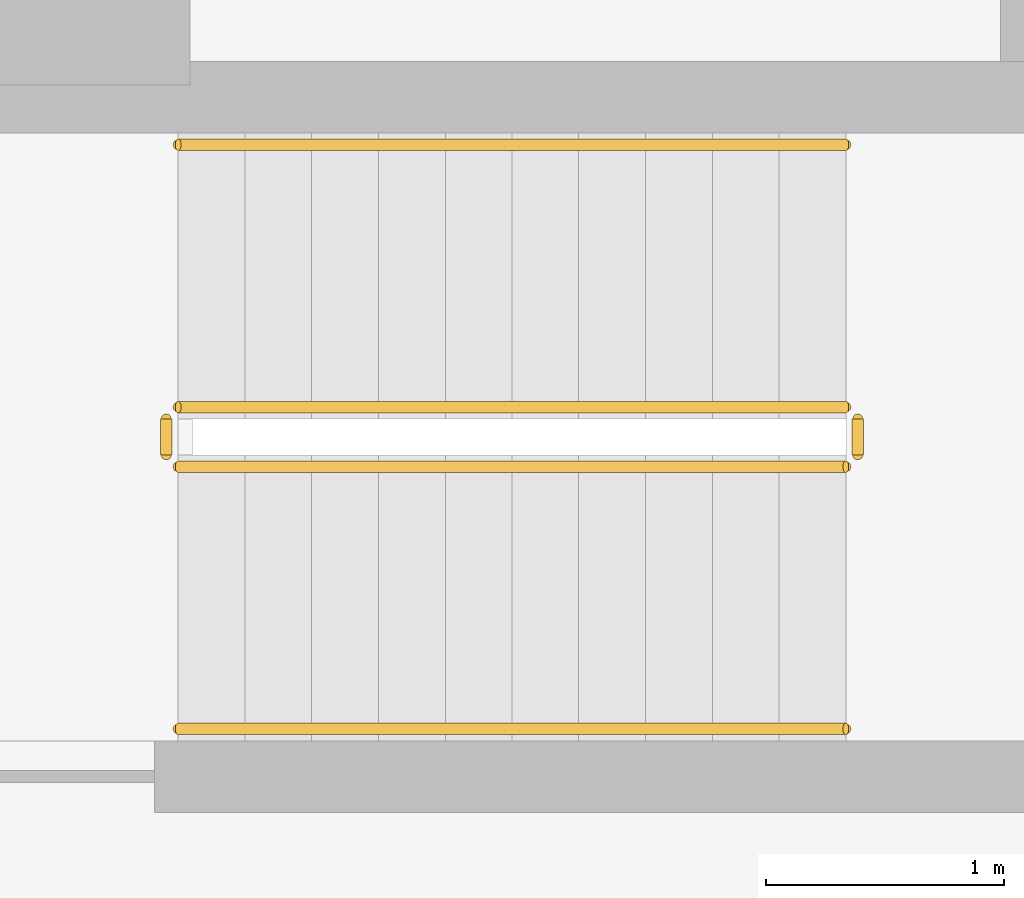
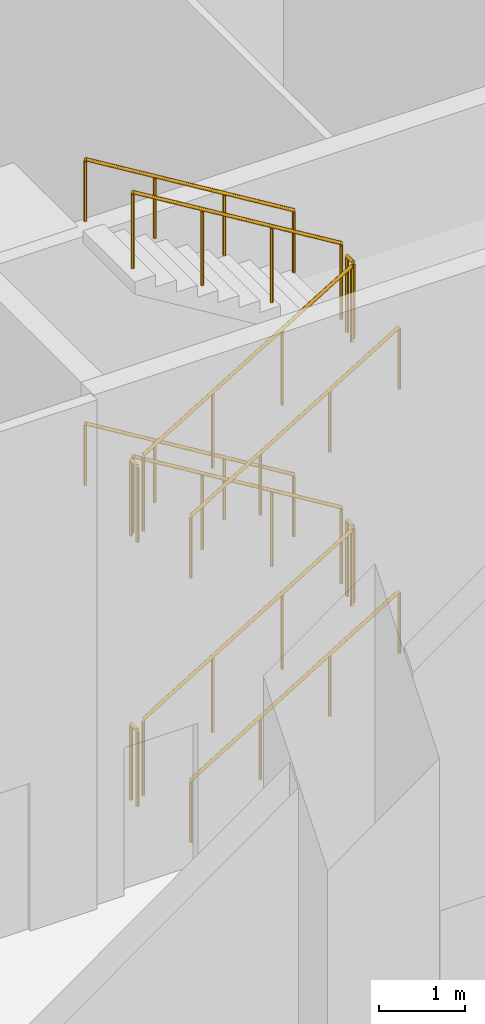
# One storey, part 15 of 16: 12 railings.
"""IFC4 building model written with IfcOpenShell, lengths in metres."""

from ifc_helpers import new_model, si_unit, direction, frame, origin, origin_2d, place, context, subcontext, project, spatial, circle, extrude, material, type_object, element, save


model = new_model("IFC4")

# Units and contexts
model_context = context("Model", 3, precision=1e-05, world=origin(), true_north=direction((0.0, 1.0)))
body_context = subcontext(model_context, "Body", "Model", "MODEL_VIEW")
ifc_project = project(units=[si_unit("LENGTHUNIT", "METRE"), si_unit("AREAUNIT", "SQUARE_METRE"), si_unit("VOLUMEUNIT", "CUBIC_METRE"), si_unit("PLANEANGLEUNIT", "RADIAN"), si_unit("MASSUNIT", "GRAM", prefix="KILO")], contexts=[model_context])

# Site, building, storey
site_placement = place(None, origin())
site = spatial("IfcSite", under=ifc_project, at=site_placement, CompositionType="ELEMENT")
building_placement = place(site_placement, origin())
building = spatial("IfcBuilding", under=site, at=building_placement, Name="Brevane Broadcast Tower", CompositionType="ELEMENT")
storey_placement = place(building_placement, frame((0.0, 0.0, 12.5)))
storey = spatial("IfcBuildingStorey", under=building, at=storey_placement, Name="L02", CompositionType="ELEMENT", Elevation=12.5)

# Railings
ifc_material = material(Name="Steel S355", Category="steel")
railing_type_1 = type_object("IfcRailingType", Name="Exit stair guard", PredefinedType="GUARDRAIL", material=ifc_material)
railing_1_placement = place(storey_placement, frame((42.699951171875, 14.449951171875, 0.17041015625)))
element("IfcRailing", 1, at=railing_1_placement, inside=storey, type_object=railing_type_1, Name="L02 ST-4 stair guard 1", PredefinedType="GUARDRAIL", context=body_context, shape_type="SweptSolid", body=[
    extrude(circle(Radius=0.02392578125, at=origin_2d()), frame((0.0, 0.0, 1.076171875), z_axis=(0.854169791009, 0.0, 0.51999420009), x_axis=(0.0, 1.0, 0.0)), (0.0, 0.0, 1.0), 3.278076171875),
    extrude(circle(Radius=0.02099609375, at=origin_2d()), origin(), (0.0, 0.0, 1.0), 1.052001953125),
    extrude(circle(Radius=0.02099609375, at=origin_2d()), frame((0.933349609375, 0.0, 0.568115234375)), (0.0, 0.0, 1.0), 1.052001953125),
    extrude(circle(Radius=0.02099609375, at=origin_2d()), frame((1.86669921875, 0.0, 1.136474609375)), (0.0, 0.0, 1.0), 1.052001953125),
    extrude(circle(Radius=0.02099609375, at=origin_2d()), frame((2.800048828125, 0.0, 1.70458984375)), (0.0, 0.0, 1.0), 1.052001953125),
])
railing_2_placement = place(storey_placement, frame((45.550048828125, 14.5, 1.875)))
element("IfcRailing", 2, at=railing_2_placement, inside=storey, type_object=railing_type_1, Name="L02 ST-4 stair guard 2", PredefinedType="GUARDRAIL", context=body_context, shape_type="SweptSolid", body=[
    extrude(circle(Radius=0.02392578125, at=origin_2d()), frame((0.0, 0.0, 1.076171875), z_axis=(0.0, 1.0, 0.0), x_axis=(-1.0, 0.0, 0.0)), (0.0, 0.0, 1.0), 0.14990234375),
    extrude(circle(Radius=0.02099609375, at=origin_2d()), origin(), (0.0, 0.0, 1.0), 1.052001953125),
    extrude(circle(Radius=0.02099609375, at=origin_2d()), frame((0.0, 0.14990234375, 0.0)), (0.0, 0.0, 1.0), 1.052001953125),
])
railing_3_placement = place(storey_placement, frame((45.5, 14.699951171875, 2.04541015625)))
element("IfcRailing", 3, at=railing_3_placement, inside=storey, type_object=railing_type_1, Name="L02 ST-4 stair guard 3", PredefinedType="GUARDRAIL", context=body_context, shape_type="SweptSolid", body=[
    extrude(circle(Radius=0.02392578125, at=origin_2d()), frame((0.0, 0.0, 1.076171875), z_axis=(-0.854169791009, 0.0, 0.51999420009), x_axis=(0.0, -1.0, 0.0)), (0.0, 0.0, 1.0), 3.278076171875),
    extrude(circle(Radius=0.02099609375, at=origin_2d()), origin(), (0.0, 0.0, 1.0), 1.052001953125),
    extrude(circle(Radius=0.02099609375, at=origin_2d()), frame((-0.933349609375, 0.0, 0.568115234375)), (0.0, 0.0, 1.0), 1.052001953125),
    extrude(circle(Radius=0.02099609375, at=origin_2d()), frame((-1.86669921875, 0.0, 1.136474609375)), (0.0, 0.0, 1.0), 1.052001953125),
    extrude(circle(Radius=0.02099609375, at=origin_2d()), frame((-2.800048828125, 0.0, 1.70458984375)), (0.0, 0.0, 1.0), 1.052001953125),
])
railing_4_placement = place(storey_placement, frame((42.64990234375, 14.5, 3.75)))
element("IfcRailing", 4, at=railing_4_placement, inside=storey, type_object=railing_type_1, Name="L02 ST-4 stair guard 4", PredefinedType="GUARDRAIL", context=body_context, shape_type="SweptSolid", body=[
    extrude(circle(Radius=0.02392578125, at=origin_2d()), frame((0.0, 0.0, 1.076171875), z_axis=(0.0, 1.0, 0.0), x_axis=(-1.0, 0.0, 0.0)), (0.0, 0.0, 1.0), 0.14990234375),
    extrude(circle(Radius=0.02099609375, at=origin_2d()), origin(), (0.0, 0.0, 1.0), 1.052001953125),
    extrude(circle(Radius=0.02099609375, at=origin_2d()), frame((0.0, 0.14990234375, 0.0)), (0.0, 0.0, 1.0), 1.052001953125),
])
railing_5_placement = place(storey_placement, frame((42.699951171875, 14.449951171875, 3.92041015625)))
element("IfcRailing", 5, at=railing_5_placement, inside=storey, type_object=railing_type_1, Name="L02 ST-4 stair guard 5", PredefinedType="GUARDRAIL", context=body_context, shape_type="SweptSolid", body=[
    extrude(circle(Radius=0.02392578125, at=origin_2d()), frame((0.0, 0.0, 1.076171875), z_axis=(0.854169791009, 0.0, 0.51999420009), x_axis=(0.0, 1.0, 0.0)), (0.0, 0.0, 1.0), 3.278076171875),
    extrude(circle(Radius=0.02099609375, at=origin_2d()), origin(), (0.0, 0.0, 1.0), 1.052001953125),
    extrude(circle(Radius=0.02099609375, at=origin_2d()), frame((0.933349609375, 0.0, 0.568115234375)), (0.0, 0.0, 1.0), 1.052001953125),
    extrude(circle(Radius=0.02099609375, at=origin_2d()), frame((1.86669921875, 0.0, 1.136474609375)), (0.0, 0.0, 1.0), 1.052001953125),
    extrude(circle(Radius=0.02099609375, at=origin_2d()), frame((2.800048828125, 0.0, 1.70458984375)), (0.0, 0.0, 1.0), 1.052001953125),
])
railing_6_placement = place(storey_placement, frame((45.550048828125, 14.5, 5.625)))
element("IfcRailing", 6, at=railing_6_placement, inside=storey, type_object=railing_type_1, Name="L02 ST-4 stair guard 6", PredefinedType="GUARDRAIL", context=body_context, shape_type="SweptSolid", body=[
    extrude(circle(Radius=0.02392578125, at=origin_2d()), frame((0.0, 0.0, 1.076171875), z_axis=(0.0, 1.0, 0.0), x_axis=(-1.0, 0.0, 0.0)), (0.0, 0.0, 1.0), 0.14990234375),
    extrude(circle(Radius=0.02099609375, at=origin_2d()), origin(), (0.0, 0.0, 1.0), 1.052001953125),
    extrude(circle(Radius=0.02099609375, at=origin_2d()), frame((0.0, 0.14990234375, 0.0)), (0.0, 0.0, 1.0), 1.052001953125),
])
railing_7_placement = place(storey_placement, frame((45.5, 14.699951171875, 5.79541015625)))
element("IfcRailing", 7, at=railing_7_placement, inside=storey, type_object=railing_type_1, Name="L02 ST-4 stair guard 7", PredefinedType="GUARDRAIL", context=body_context, shape_type="SweptSolid", body=[
    extrude(circle(Radius=0.02392578125, at=origin_2d()), frame((0.0, 0.0, 1.076171875), z_axis=(-0.854169791009, 0.0, 0.51999420009), x_axis=(0.0, -1.0, 0.0)), (0.0, 0.0, 1.0), 3.278076171875),
    extrude(circle(Radius=0.02099609375, at=origin_2d()), origin(), (0.0, 0.0, 1.0), 1.052001953125),
    extrude(circle(Radius=0.02099609375, at=origin_2d()), frame((-0.933349609375, 0.0, 0.568115234375)), (0.0, 0.0, 1.0), 1.052001953125),
    extrude(circle(Radius=0.02099609375, at=origin_2d()), frame((-1.86669921875, 0.0, 1.136474609375)), (0.0, 0.0, 1.0), 1.052001953125),
    extrude(circle(Radius=0.02099609375, at=origin_2d()), frame((-2.800048828125, 0.0, 1.70458984375)), (0.0, 0.0, 1.0), 1.052001953125),
])
railing_8_placement = place(storey_placement, frame((42.64990234375, 14.5, 0.0)))
element("IfcRailing", 8, at=railing_8_placement, inside=storey, type_object=railing_type_1, Name="L02 ST-4 stair guard 8", PredefinedType="GUARDRAIL", context=body_context, shape_type="SweptSolid", body=[
    extrude(circle(Radius=0.02392578125, at=origin_2d()), frame((0.0, 0.0, 1.076171875), z_axis=(0.0, 1.0, 0.0), x_axis=(-1.0, 0.0, 0.0)), (0.0, 0.0, 1.0), 0.14990234375),
    extrude(circle(Radius=0.02099609375, at=origin_2d()), origin(), (0.0, 0.0, 1.0), 1.052001953125),
    extrude(circle(Radius=0.02099609375, at=origin_2d()), frame((0.0, 0.14990234375, 0.0)), (0.0, 0.0, 1.0), 1.052001953125),
])
railing_type_2 = type_object("IfcRailingType", Name="Exit stair handrail", PredefinedType="HANDRAIL", material=ifc_material)
railing_9_placement = place(storey_placement, frame((42.699951171875, 13.35009765625, 0.17041015625)))
element("IfcRailing", 9, at=railing_9_placement, inside=storey, type_object=railing_type_2, Name="L02 ST-4 stair handrail 1", PredefinedType="HANDRAIL", context=body_context, shape_type="SweptSolid", body=[
    extrude(circle(Radius=0.02392578125, at=origin_2d()), frame((0.0, 0.0, 0.8759765625), z_axis=(0.854169791009, 0.0, 0.51999420009), x_axis=(0.0, 1.0, 0.0)), (0.0, 0.0, 1.0), 3.278076171875),
    extrude(circle(Radius=0.02099609375, at=origin_2d()), origin(), (0.0, 0.0, 1.0), 0.851806640625),
    extrude(circle(Radius=0.02099609375, at=origin_2d()), frame((0.933349609375, 0.0, 0.568115234375)), (0.0, 0.0, 1.0), 0.851806640625),
    extrude(circle(Radius=0.02099609375, at=origin_2d()), frame((1.86669921875, 0.0, 1.136474609375)), (0.0, 0.0, 1.0), 0.851806640625),
    extrude(circle(Radius=0.02099609375, at=origin_2d()), frame((2.800048828125, 0.0, 1.70458984375)), (0.0, 0.0, 1.0), 0.851806640625),
])
railing_10_placement = place(storey_placement, frame((45.5, 15.800048828125, 2.04541015625)))
element("IfcRailing", 10, at=railing_10_placement, inside=storey, type_object=railing_type_2, Name="L02 ST-4 stair handrail 2", PredefinedType="HANDRAIL", context=body_context, shape_type="SweptSolid", body=[
    extrude(circle(Radius=0.02392578125, at=origin_2d()), frame((0.0, 0.0, 0.8759765625), z_axis=(-0.854169791009, 0.0, 0.51999420009), x_axis=(0.0, -1.0, 0.0)), (0.0, 0.0, 1.0), 3.278076171875),
    extrude(circle(Radius=0.02099609375, at=origin_2d()), origin(), (0.0, 0.0, 1.0), 0.851806640625),
    extrude(circle(Radius=0.02099609375, at=origin_2d()), frame((-0.933349609375, 0.0, 0.568115234375)), (0.0, 0.0, 1.0), 0.851806640625),
    extrude(circle(Radius=0.02099609375, at=origin_2d()), frame((-1.86669921875, 0.0, 1.136474609375)), (0.0, 0.0, 1.0), 0.851806640625),
    extrude(circle(Radius=0.02099609375, at=origin_2d()), frame((-2.800048828125, 0.0, 1.70458984375)), (0.0, 0.0, 1.0), 0.851806640625),
])
railing_11_placement = place(storey_placement, frame((42.699951171875, 13.35009765625, 3.92041015625)))
element("IfcRailing", 11, at=railing_11_placement, inside=storey, type_object=railing_type_2, Name="L02 ST-4 stair handrail 3", PredefinedType="HANDRAIL", context=body_context, shape_type="SweptSolid", body=[
    extrude(circle(Radius=0.02392578125, at=origin_2d()), frame((0.0, 0.0, 0.8759765625), z_axis=(0.854169791009, 0.0, 0.51999420009), x_axis=(0.0, 1.0, 0.0)), (0.0, 0.0, 1.0), 3.278076171875),
    extrude(circle(Radius=0.02099609375, at=origin_2d()), origin(), (0.0, 0.0, 1.0), 0.851806640625),
    extrude(circle(Radius=0.02099609375, at=origin_2d()), frame((0.933349609375, 0.0, 0.568115234375)), (0.0, 0.0, 1.0), 0.851806640625),
    extrude(circle(Radius=0.02099609375, at=origin_2d()), frame((1.86669921875, 0.0, 1.136474609375)), (0.0, 0.0, 1.0), 0.851806640625),
    extrude(circle(Radius=0.02099609375, at=origin_2d()), frame((2.800048828125, 0.0, 1.70458984375)), (0.0, 0.0, 1.0), 0.851806640625),
])
railing_12_placement = place(storey_placement, frame((45.5, 15.800048828125, 5.79541015625)))
element("IfcRailing", 12, at=railing_12_placement, inside=storey, type_object=railing_type_2, Name="L02 ST-4 stair handrail 4", PredefinedType="HANDRAIL", context=body_context, shape_type="SweptSolid", body=[
    extrude(circle(Radius=0.02392578125, at=origin_2d()), frame((0.0, 0.0, 0.8759765625), z_axis=(-0.854169791009, 0.0, 0.51999420009), x_axis=(0.0, -1.0, 0.0)), (0.0, 0.0, 1.0), 3.278076171875),
    extrude(circle(Radius=0.02099609375, at=origin_2d()), origin(), (0.0, 0.0, 1.0), 0.851806640625),
    extrude(circle(Radius=0.02099609375, at=origin_2d()), frame((-0.933349609375, 0.0, 0.568115234375)), (0.0, 0.0, 1.0), 0.851806640625),
    extrude(circle(Radius=0.02099609375, at=origin_2d()), frame((-1.86669921875, 0.0, 1.136474609375)), (0.0, 0.0, 1.0), 0.851806640625),
    extrude(circle(Radius=0.02099609375, at=origin_2d()), frame((-2.800048828125, 0.0, 1.70458984375)), (0.0, 0.0, 1.0), 0.851806640625),
])

save(model, "model.ifc")
